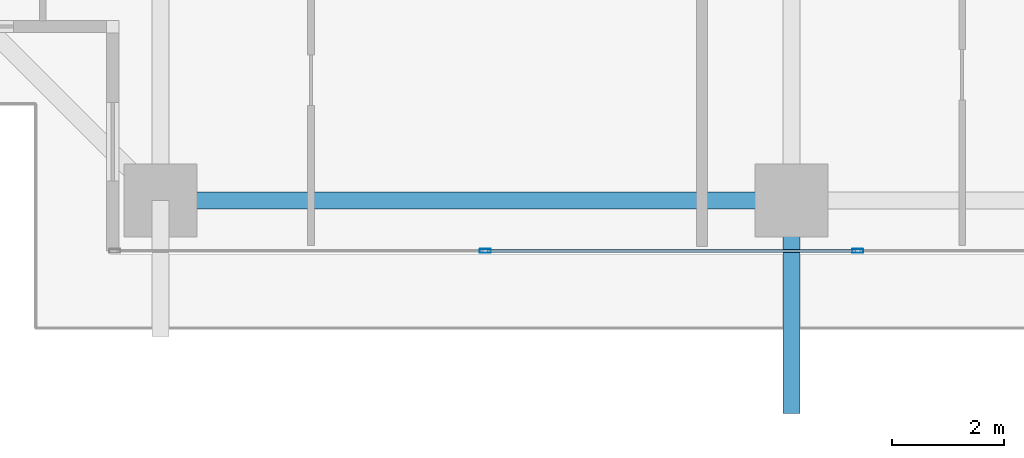
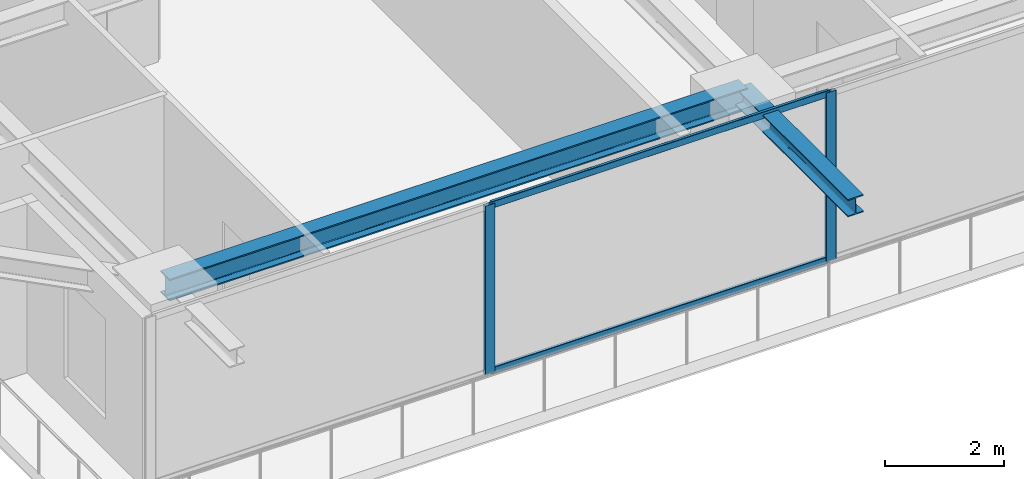
# One storey, part 5 of 37: 4 members, 2 beams, 1 element without a shape of its own.
"""IFC4 building model written with IfcOpenShell, lengths in metres."""

from ifc_helpers import new_model, si_unit, direction, frame, origin, origin_2d, place, context, subcontext, project, spatial, hollow_rectangle, i_section, extrude, source, transform, mapped, material, layer, layer_set, material_profile, profile_set, type_object, element, aggregate, save


model = new_model("IFC4")

# Units and contexts
model_context = context("Model", 3, precision=1e-05, world=origin(), true_north=direction((0.0, 1.0)))
body_context = subcontext(model_context, "Body", "Model", "MODEL_VIEW")
ifc_project = project(units=[si_unit("LENGTHUNIT", "METRE"), si_unit("AREAUNIT", "SQUARE_METRE"), si_unit("VOLUMEUNIT", "CUBIC_METRE"), si_unit("PLANEANGLEUNIT", "RADIAN"), si_unit("MASSUNIT", "GRAM", prefix="KILO")], contexts=[model_context])

# Site, building, storey
site_placement = place(None, origin())
site = spatial("IfcSite", under=ifc_project, at=site_placement, CompositionType="ELEMENT")
building_placement = place(site_placement, origin())
building = spatial("IfcBuilding", under=site, at=building_placement, Name="Serunith Strait Residences", CompositionType="ELEMENT")
storey_placement = place(building_placement, frame((0.0, 0.0, 127.64990234375)))
storey = spatial("IfcBuildingStorey", under=building, at=storey_placement, Name="L31", CompositionType="ELEMENT", Elevation=127.64990234375)

# Beams
ifc_material_1 = material(Name="Steel S355J2", Category="steel")
ifc_material_profile_1 = material_profile(ifc_material_1, i_section(OverallWidth=0.300048828125, OverallDepth=0.449951171875, WebThickness=0.013916015625, FlangeThickness=0.02587890625, FilletRadius=0.027099609375, at=origin_2d()), Name="HEB 450")
ifc_profile_set_1 = profile_set([ifc_material_profile_1], Name="Steel S355J2")
beam_type_1 = type_object("IfcBeamType", Name="BM-HEB450", PredefinedType="BEAM", material=ifc_profile_set_1)
shared_shape_1 = source(origin(), body_context, "Body", "SweptSolid", [
    extrude(i_section(OverallWidth=0.300048828125, OverallDepth=0.449951171875, WebThickness=0.013916015625, FlangeThickness=0.02587890625, FilletRadius=0.027099609375, at=origin_2d()), origin(), (0.0, 0.0, 1.0), 11.25),
])
beam_1_placement = place(storey_placement, frame((16.64990234375, 2.300048828125, 3.26220703125), z_axis=(1.0, 0.0, 0.0), x_axis=(0.0, 1.0, 0.0)))
element("IfcBeam", 1, at=beam_1_placement, inside=storey, type_object=beam_type_1, Name="L31 Perimeter Ring Beam 01", PredefinedType="BEAM", context=body_context, shape_type="MappedRepresentation", body=[
    mapped(shared_shape_1, transform((0.0, 0.0, 0.0), scale=1.0)),
])
ifc_material_profile_2 = material_profile(ifc_material_1, i_section(OverallWidth=0.300048828125, OverallDepth=0.360107421875, WebThickness=0.012451171875, FlangeThickness=0.0224609375, FilletRadius=0.027099609375, at=origin_2d()), Name="HEB 360")
ifc_profile_set_2 = profile_set([ifc_material_profile_2], Name="Steel S355J2")
beam_type_2 = type_object("IfcBeamType", Name="BM-HEB360", PredefinedType="BEAM", material=ifc_profile_set_2)
shared_shape_2 = source(origin(), body_context, "Body", "SweptSolid", [
    extrude(i_section(OverallWidth=0.300048828125, OverallDepth=0.360107421875, WebThickness=0.012451171875, FlangeThickness=0.0224609375, FilletRadius=0.027099609375, at=origin_2d()), origin(), (0.0, 0.0, 1.0), 3.800048828125),
])
beam_2_placement = place(storey_placement, frame((27.89990234375, 2.300048828125, 3.277099609375), z_axis=(0.0, -1.0, 0.0), x_axis=(1.0, 0.0, 0.0)))
element("IfcBeam", 2, at=beam_2_placement, inside=storey, type_object=beam_type_2, Name="L32 Cantilevered Balcony Rib TC-S2", PredefinedType="BEAM", context=body_context, shape_type="MappedRepresentation", body=[
    mapped(shared_shape_2, transform((0.0, 0.0, 0.0), scale=1.0)),
])

# Curtain wall, members
ifc_material_2 = material(Name="Pale-Champagne Anodised Aluminium", Category="aluminium")
ifc_layer = layer(ifc_material_2, 0.199951171875, Name="Pale-Champagne Anodised Aluminium")
ifc_layer_set = layer_set([ifc_layer], Name="Pale-Champagne Anodised Aluminium")
curtain_wall_type = type_object("IfcCurtainWallType", Name="CW-SYS2", PredefinedType="NOTDEFINED", material=ifc_layer_set)
curtain_wall_placement = place(storey_placement, origin())
curtain_wall = element("IfcCurtainWall", 3, at=curtain_wall_placement, inside=storey, type_object=curtain_wall_type, Name="L31 S Unitised Fritted Curtain Wall", PredefinedType="NOTDEFINED")
ifc_material_profile_3 = material_profile(ifc_material_2, hollow_rectangle(XDim=0.070068359375, YDim=0.199951171875, WallThickness=0.00390625, InnerFilletRadius=0.006103515625, OuterFilletRadius=0.010009765625, at=origin_2d()), Name="ALU 200x70x4")
ifc_profile_set_3 = profile_set([ifc_material_profile_3], Name="Pale-Champagne Anodised Aluminium")
member_type_1 = type_object("IfcMemberType", Name="CW-SYS2-MULL", PredefinedType="MULLION", material=ifc_profile_set_3)
shared_shape_3 = source(origin(), body_context, "Body", "SweptSolid", [
    extrude(hollow_rectangle(XDim=0.070068359375, YDim=0.199951171875, WallThickness=0.00390625, InnerFilletRadius=0.006103515625, OuterFilletRadius=0.010009765625, at=origin_2d()), origin(), (0.0, 0.0, 1.0), 3.47509765625),
])
member_1_placement = place(storey_placement, frame((22.43994140625, 1.39990234375, 0.0), z_axis=(0.0, 0.0, 1.0), x_axis=(0.0, 1.0, 0.0)))
member_1 = element("IfcMember", 4, at=member_1_placement, type_object=member_type_1, Name="CW-2 mullion 2", PredefinedType="MULLION", context=body_context, shape_type="MappedRepresentation", body=[
    mapped(shared_shape_3, transform((0.0, 0.0, 0.0), scale=1.0)),
])
member_2_placement = place(storey_placement, frame((29.080078125, 1.39990234375, 0.0), z_axis=(0.0, 0.0, 1.0), x_axis=(0.0, 1.0, 0.0)))
member_2 = element("IfcMember", 5, at=member_2_placement, type_object=member_type_1, Name="CW-2 mullion 3", PredefinedType="MULLION", context=body_context, shape_type="MappedRepresentation", body=[
    mapped(shared_shape_3, transform((0.0, 0.0, 0.0), scale=1.0)),
])
ifc_material_profile_4 = material_profile(ifc_material_2, hollow_rectangle(XDim=0.06005859375, YDim=0.139892578125, WallThickness=0.00341796875, InnerFilletRadius=0.00537109375, OuterFilletRadius=0.0087890625, at=origin_2d()), Name="ALU 140x60x3.5")
ifc_profile_set_4 = profile_set([ifc_material_profile_4], Name="Pale-Champagne Anodised Aluminium")
member_type_2 = type_object("IfcMemberType", Name="CW-SYS2-TRAN", PredefinedType="USERDEFINED", material=ifc_profile_set_4)
shared_shape_4 = source(origin(), body_context, "Body", "SweptSolid", [
    extrude(hollow_rectangle(XDim=0.06005859375, YDim=0.139892578125, WallThickness=0.00341796875, InnerFilletRadius=0.00537109375, OuterFilletRadius=0.0087890625, at=origin_2d()), origin(), (0.0, 0.0, 1.0), 6.56982421875),
])
member_3_placement = place(storey_placement, frame((22.47509765625, 1.39990234375, 0.030029296875), z_axis=(1.0, 0.0, 0.0), x_axis=(0.0, 1.0, 0.0)))
member_3 = element("IfcMember", 6, at=member_3_placement, type_object=member_type_2, Name="CW-2 transom 2.1", ObjectType="TRANSOM", PredefinedType="USERDEFINED", context=body_context, shape_type="MappedRepresentation", body=[
    mapped(shared_shape_4, transform((0.0, 0.0, 0.0), scale=1.0)),
])
member_4_placement = place(storey_placement, frame((22.47509765625, 1.39990234375, 3.445068359375), z_axis=(1.0, 0.0, 0.0), x_axis=(0.0, 1.0, 0.0)))
member_4 = element("IfcMember", 7, at=member_4_placement, type_object=member_type_2, Name="CW-2 transom 2.2", ObjectType="TRANSOM", PredefinedType="USERDEFINED", context=body_context, shape_type="MappedRepresentation", body=[
    mapped(shared_shape_4, transform((0.0, 0.0, 0.0), scale=1.0)),
])
aggregate(curtain_wall, [member_1, member_2, member_3, member_4])

save(model, "model.ifc")
